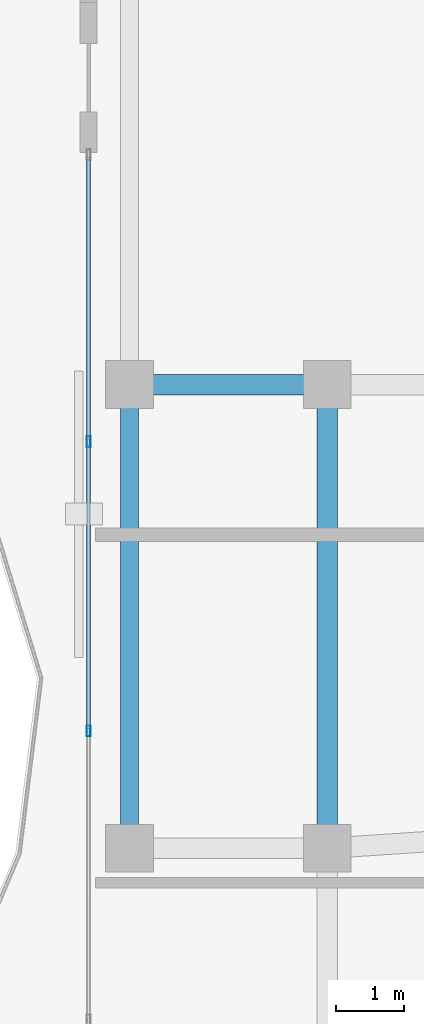
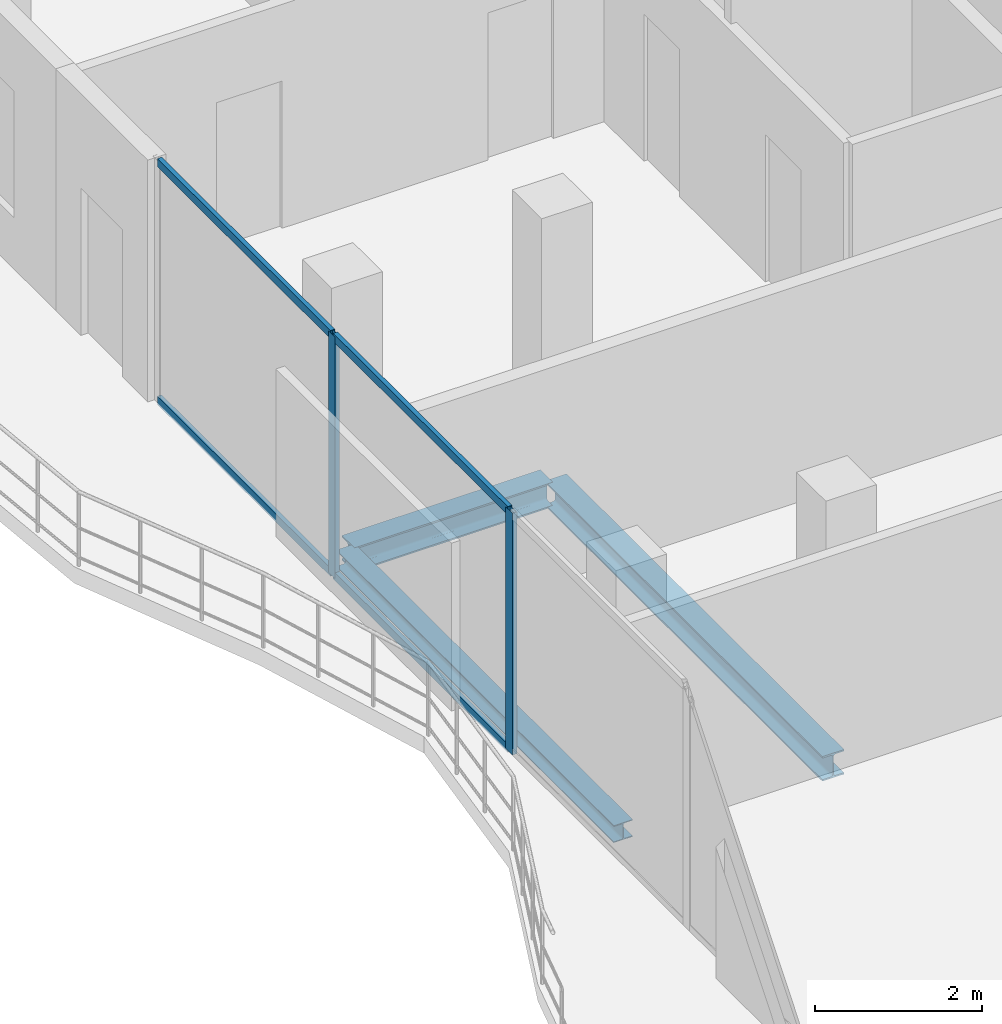
# One storey, part 10 of 22: 6 members, 3 beams, 1 element without a shape of its own.
"""IFC4 building model written with IfcOpenShell, lengths in metres."""

from ifc_helpers import new_model, si_unit, direction, frame, origin, origin_2d, place, context, subcontext, project, spatial, hollow_rectangle, i_section, extrude, material, layer, layer_set, material_profile, profile_set, type_object, element, aggregate, save


model = new_model("IFC4")

# Units and contexts
model_context = context("Model", 3, precision=1e-05, world=origin(), true_north=direction((0.0, 1.0)))
body_context = subcontext(model_context, "Body", "Model", "MODEL_VIEW")
ifc_project = project(units=[si_unit("LENGTHUNIT", "METRE"), si_unit("AREAUNIT", "SQUARE_METRE"), si_unit("VOLUMEUNIT", "CUBIC_METRE"), si_unit("PLANEANGLEUNIT", "RADIAN"), si_unit("MASSUNIT", "GRAM", prefix="KILO")], contexts=[model_context])

# Site, building, storey
site_placement = place(None, origin())
site = spatial("IfcSite", under=ifc_project, at=site_placement, CompositionType="ELEMENT")
building_placement = place(site_placement, origin())
building = spatial("IfcBuilding", under=site, at=building_placement, Name="Catumbela Crestline Tower", CompositionType="ELEMENT")
storey_placement = place(building_placement, frame((0.0, 0.0, 256.4)))
storey = spatial("IfcBuildingStorey", under=building, at=storey_placement, Name="L66", CompositionType="ELEMENT", Elevation=256.4)

# Beams
ifc_material_1 = material(Name="Structural steel S355J2", Category="steel")
ifc_material_profile_1 = material_profile(ifc_material_1, i_section(OverallWidth=0.3, OverallDepth=0.36, WebThickness=0.0125, FlangeThickness=0.0225, FilletRadius=0.027, at=origin_2d()), Name="HEB 360")
ifc_profile_set_1 = profile_set([ifc_material_profile_1], Name="Structural steel S355J2")
beam_type_1 = type_object("IfcBeamType", Name="BG-HEB360", PredefinedType="BEAM", material=ifc_profile_set_1)
beam_1_placement = place(storey_placement, frame((5.68, 30.8, -0.44), z_axis=(1.0, 0.0, 0.0), x_axis=(0.0, 1.0, 0.0)))
element("IfcBeam", 1, at=beam_1_placement, inside=storey, type_object=beam_type_1, Name="L66 Beam BM-L66-M06", PredefinedType="BEAM", context=body_context, shape_type="SweptSolid", body=[
    extrude(i_section(OverallWidth=0.3, OverallDepth=0.36, WebThickness=0.0125, FlangeThickness=0.0225, FilletRadius=0.027, at=origin_2d()), origin(), (0.0, 0.0, 1.0), 2.74),
])
beam_2_placement = place(storey_placement, frame((8.5, 24.08, -0.44), z_axis=(0.0, 1.0, 0.0), x_axis=(-1.0, 0.0, 0.0)))
element("IfcBeam", 2, at=beam_2_placement, inside=storey, type_object=beam_type_1, Name="L66 Beam BM-L66-SN14", PredefinedType="BEAM", context=body_context, shape_type="SweptSolid", body=[
    extrude(i_section(OverallWidth=0.3, OverallDepth=0.36, WebThickness=0.0125, FlangeThickness=0.0225, FilletRadius=0.027, at=origin_2d()), origin(), (0.0, 0.0, 1.0), 6.64),
])

# Curtain wall, members
ifc_material_2 = material(Name="Aluminium alloy AW-6060-T66", Category="aluminium")
ifc_layer = layer(ifc_material_2, 0.18, Name="Aluminium alloy AW-6060-T66")
ifc_layer_set = layer_set([ifc_layer], Name="Aluminium alloy AW-6060-T66")
curtain_wall_type = type_object("IfcCurtainWallType", Name="CWU-Z4", PredefinedType="USERDEFINED", material=ifc_layer_set)
curtain_wall_placement = place(storey_placement, origin())
curtain_wall = element("IfcCurtainWall", 3, at=curtain_wall_placement, inside=storey, type_object=curtain_wall_type, Name="L66 Unitised Curtain Wall CW-L66-E9S2", ObjectType="UNITISED", PredefinedType="USERDEFINED")
ifc_material_profile_2 = material_profile(ifc_material_2, hollow_rectangle(XDim=0.06, YDim=0.16, WallThickness=0.004, at=origin_2d()), Name="ALU 160x60x4")
ifc_profile_set_2 = profile_set([ifc_material_profile_2], Name="Aluminium alloy AW-6060-T66")
member_type_1 = type_object("IfcMemberType", Name="MUL-160X60", PredefinedType="MULLION", material=ifc_profile_set_2)
member_1_placement = place(storey_placement, frame((5.0, 29.96, 0.0), z_axis=(0.0, 0.0, 1.0), x_axis=(1.0, 0.0, 0.0)))
member_1 = element("IfcMember", 4, at=member_1_placement, type_object=member_type_1, Name="CWU-Z4 mullion 2", PredefinedType="MULLION", context=body_context, shape_type="SweptSolid", body=[
    extrude(hollow_rectangle(XDim=0.06, YDim=0.16, WallThickness=0.004, at=origin_2d()), origin(), (0.0, 0.0, 1.0), 3.53),
])
member_2_placement = place(storey_placement, frame((5.0, 25.72, 0.0), z_axis=(0.0, 0.0, 1.0), x_axis=(1.0, 0.0, 0.0)))
member_2 = element("IfcMember", 5, at=member_2_placement, type_object=member_type_1, Name="CWU-Z4 mullion 3", PredefinedType="MULLION", context=body_context, shape_type="SweptSolid", body=[
    extrude(hollow_rectangle(XDim=0.06, YDim=0.16, WallThickness=0.004, at=origin_2d()), origin(), (0.0, 0.0, 1.0), 3.53),
])

# Beam
ifc_material_profile_3 = material_profile(ifc_material_1, i_section(OverallWidth=0.26, OverallDepth=0.25, WebThickness=0.0075, FlangeThickness=0.0125, FilletRadius=0.024, at=origin_2d()), Name="HEA 260")
ifc_profile_set_3 = profile_set([ifc_material_profile_3], Name="Structural steel S355J2")
beam_type_2 = type_object("IfcBeamType", Name="BS-HEA260", PredefinedType="SPANDREL", material=ifc_profile_set_3)
beam_3_placement = place(storey_placement, frame((5.6, 24.08, -0.385), z_axis=(0.0, 1.0, 0.0), x_axis=(-1.0, 0.0, 0.0)))
element("IfcBeam", 6, at=beam_3_placement, inside=storey, type_object=beam_type_2, Name="L66 Spandrel SP-L66-SN12", PredefinedType="SPANDREL", context=body_context, shape_type="SweptSolid", body=[
    extrude(i_section(OverallWidth=0.26, OverallDepth=0.25, WebThickness=0.0075, FlangeThickness=0.0125, FilletRadius=0.024, at=origin_2d()), origin(), (0.0, 0.0, 1.0), 6.64),
])

# Member
ifc_material_profile_4 = material_profile(ifc_material_2, hollow_rectangle(XDim=0.06, YDim=0.12, WallThickness=0.0035, at=origin_2d()), Name="ALU 120x60x3.5")
ifc_profile_set_4 = profile_set([ifc_material_profile_4], Name="Aluminium alloy AW-6060-T66")
member_type_2 = type_object("IfcMemberType", Name="TRN-120X60", PredefinedType="USERDEFINED", material=ifc_profile_set_4)
member_3_placement = place(storey_placement, frame((5.0, 34.135, 0.03), z_axis=(0.0, -1.0, 0.0), x_axis=(1.0, 0.0, 0.0)))
member_3 = element("IfcMember", 7, at=member_3_placement, type_object=member_type_2, Name="CWU-Z4 transom 1.1", ObjectType="TRANSOM", PredefinedType="USERDEFINED", context=body_context, shape_type="SweptSolid", body=[
    extrude(hollow_rectangle(XDim=0.06, YDim=0.12, WallThickness=0.0035, at=origin_2d()), origin(), (0.0, 0.0, 1.0), 4.1425),
])

member_4_placement = place(storey_placement, frame((5.0, 34.135, 3.5), z_axis=(0.0, -1.0, 0.0), x_axis=(1.0, 0.0, 0.0)))
member_4 = element("IfcMember", 8, at=member_4_placement, type_object=member_type_2, Name="CWU-Z4 transom 1.2", ObjectType="TRANSOM", PredefinedType="USERDEFINED", context=body_context, shape_type="SweptSolid", body=[
    extrude(hollow_rectangle(XDim=0.06, YDim=0.12, WallThickness=0.0035, at=origin_2d()), origin(), (0.0, 0.0, 1.0), 4.1425),
])

member_5_placement = place(storey_placement, frame((5.0, 29.9275, 0.03), z_axis=(0.0, -1.0, 0.0), x_axis=(1.0, 0.0, 0.0)))
member_5 = element("IfcMember", 9, at=member_5_placement, type_object=member_type_2, Name="CWU-Z4 transom 2.1", ObjectType="TRANSOM", PredefinedType="USERDEFINED", context=body_context, shape_type="SweptSolid", body=[
    extrude(hollow_rectangle(XDim=0.06, YDim=0.12, WallThickness=0.0035, at=origin_2d()), origin(), (0.0, 0.0, 1.0), 4.175),
])

member_6_placement = place(storey_placement, frame((5.0, 29.9275, 3.5), z_axis=(0.0, -1.0, 0.0), x_axis=(1.0, 0.0, 0.0)))
member_6 = element("IfcMember", 10, at=member_6_placement, type_object=member_type_2, Name="CWU-Z4 transom 2.2", ObjectType="TRANSOM", PredefinedType="USERDEFINED", context=body_context, shape_type="SweptSolid", body=[
    extrude(hollow_rectangle(XDim=0.06, YDim=0.12, WallThickness=0.0035, at=origin_2d()), origin(), (0.0, 0.0, 1.0), 4.175),
])

aggregate(curtain_wall, [member_1, member_2, member_3, member_4, member_5, member_6])

save(model, "model.ifc")
